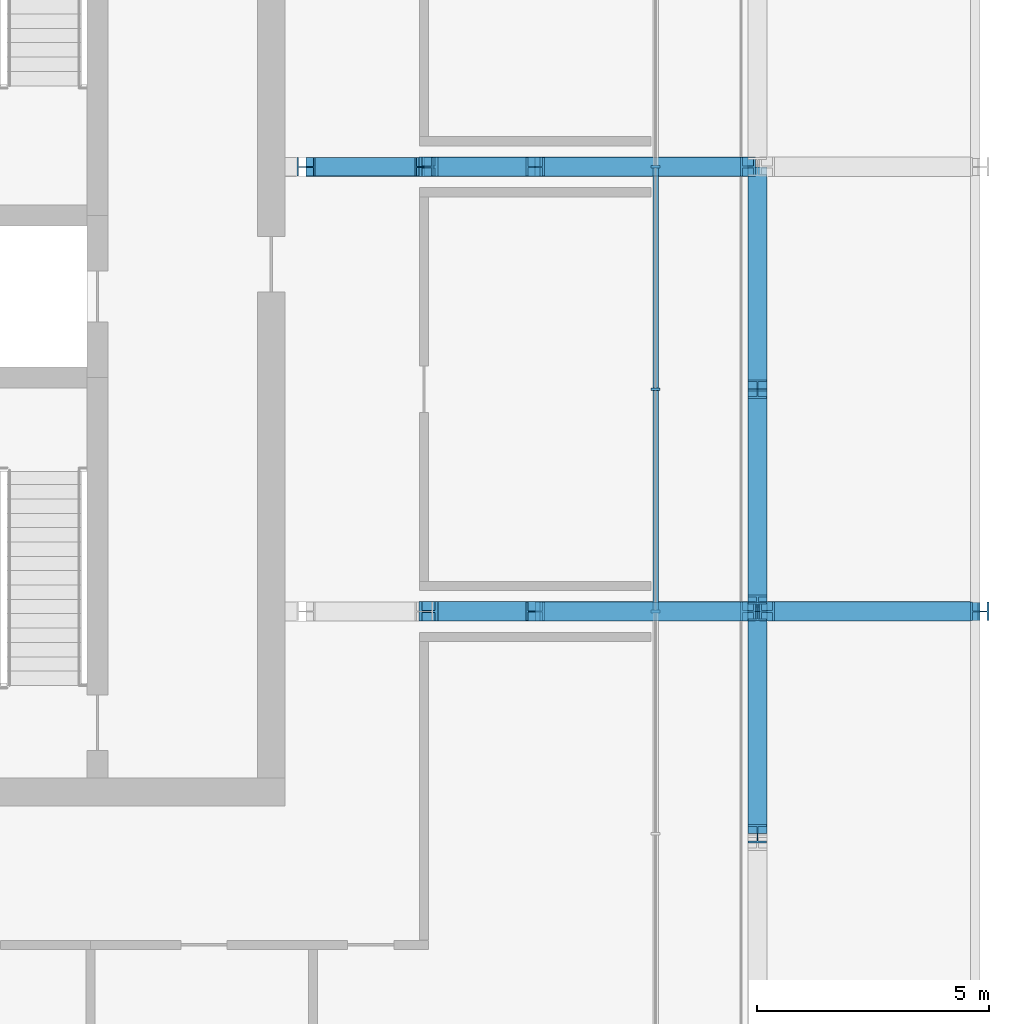
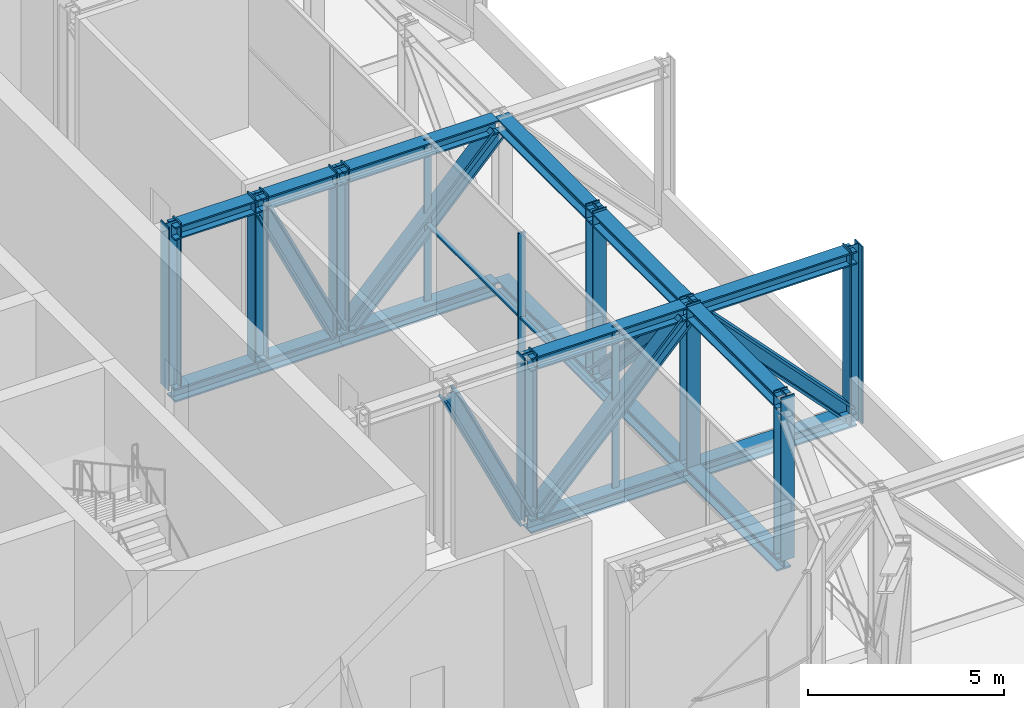
# One storey, part 8 of 26: 35 members, 1 element without a shape of its own.
"""IFC4 building model written with IfcOpenShell, lengths in metres."""

from ifc_helpers import new_model, si_unit, direction, frame, origin, origin_2d, place, context, subcontext, project, spatial, rectangle, i_section, extrude, material, layer, layer_set, material_profile, profile_set, type_object, element, aggregate, save


model = new_model("IFC4")

# Units and contexts
model_context = context("Model", 3, precision=1e-05, world=origin(), true_north=direction((0.0, 1.0)))
body_context = subcontext(model_context, "Body", "Model", "MODEL_VIEW")
ifc_project = project(units=[si_unit("LENGTHUNIT", "METRE"), si_unit("AREAUNIT", "SQUARE_METRE"), si_unit("VOLUMEUNIT", "CUBIC_METRE"), si_unit("PLANEANGLEUNIT", "RADIAN"), si_unit("MASSUNIT", "GRAM", prefix="KILO")], contexts=[model_context])

# Site, building, storey
site_placement = place(None, origin())
site = spatial("IfcSite", under=ifc_project, at=site_placement, CompositionType="ELEMENT")
building_placement = place(site_placement, origin())
building = spatial("IfcBuilding", under=site, at=building_placement, Name="Madar Terraces", CompositionType="ELEMENT")
storey_placement = place(building_placement, frame((0.0, 0.0, 233.300048828125)))
storey = spatial("IfcBuildingStorey", under=building, at=storey_placement, Name="L61", CompositionType="ELEMENT", Elevation=233.300048828125)

# Members
ifc_material_1 = material(Name="Steel ASTM A992 Grade 50", Category="steel")
ifc_material_profile_1 = material_profile(ifc_material_1, i_section(OverallWidth=0.408935546875, OverallDepth=0.424072265625, WebThickness=0.03271484375, FlangeThickness=0.052490234375, at=origin_2d()), Name="W14x283")
ifc_profile_set_1 = profile_set([ifc_material_profile_1], Name="Steel ASTM A992 Grade 50")
member_type_1 = type_object("IfcMemberType", Name="BC8 W14x283", PredefinedType="CHORD", material=ifc_profile_set_1)
for number, where, z_axis, x_axis, name in (
    (1, (57.60009765625, 14.39990234375, -0.2080078125), (0.0, 1.0, 0.0), (-1.0, 0.0, 0.0), "Exoskeleton truss ring bottom chord BC8"),
    (2, (57.60009765625, 19.199951171875, -0.2080078125), (0.0, 1.0, 0.0), (-1.0, 0.0, 0.0), "Exoskeleton truss ring bottom chord BC8"),
    (3, (57.60009765625, 24.0, -0.2080078125), (0.0, 1.0, 0.0), (-1.0, 0.0, 0.0), "Exoskeleton truss ring bottom chord BC8"),
):
    element("IfcMember", number, at=place(storey_placement, frame(where, z_axis=z_axis, x_axis=x_axis)), inside=storey, type_object=member_type_1, Name=name, PredefinedType="CHORD", context=body_context, shape_type="SweptSolid", body=[
        extrude(i_section(OverallWidth=0.408935546875, OverallDepth=0.424072265625, WebThickness=0.03271484375, FlangeThickness=0.052490234375, at=origin_2d()), origin(), (0.0, 0.0, 1.0), 4.800048828125),
    ])
for number, where, z_axis, x_axis, name in (
    (4, (62.39990234375, 19.199951171875, -0.2080078125), (-1.0, 0.0, 0.0), (0.0, -1.0, 0.0), "Exoskeleton truss cross E19.2 bottom chord BC8"),
    (5, (57.3955078125, 19.199951171875, -0.2080078125), (-1.0, 0.0, 0.0), (0.0, -1.0, 0.0), "Exoskeleton truss cross E19.2 bottom chord BC8"),
    (6, (57.3955078125, 28.800048828125, -0.2080078125), (-1.0, 0.0, 0.0), (0.0, -1.0, 0.0), "Exoskeleton truss cross E28.8 bottom chord BC8"),
):
    element("IfcMember", number, at=place(storey_placement, frame(where, z_axis=z_axis, x_axis=x_axis)), inside=storey, type_object=member_type_1, Name=name, PredefinedType="CHORD", context=body_context, shape_type="SweptSolid", body=[
        extrude(i_section(OverallWidth=0.408935546875, OverallDepth=0.424072265625, WebThickness=0.03271484375, FlangeThickness=0.052490234375, at=origin_2d()), origin(), (0.0, 0.0, 1.0), 4.595458984375),
    ])
member_1_placement = place(storey_placement, frame((52.800048828125, 28.800048828125, -0.2080078125), z_axis=(-1.0, 0.0, 0.0), x_axis=(0.0, -1.0, 0.0)))
element("IfcMember", 7, at=member_1_placement, inside=storey, type_object=member_type_1, Name="Exoskeleton truss cross E28.8 bottom chord BC8", PredefinedType="CHORD", context=body_context, shape_type="SweptSolid", body=[
    extrude(i_section(OverallWidth=0.408935546875, OverallDepth=0.424072265625, WebThickness=0.03271484375, FlangeThickness=0.052490234375, at=origin_2d()), origin(), (0.0, 0.0, 1.0), 2.400146484375),
])
member_2_placement = place(storey_placement, frame((50.39990234375, 28.800048828125, -0.2080078125), z_axis=(-1.0, 0.0, 0.0), x_axis=(0.0, -1.0, 0.0)))
element("IfcMember", 8, at=member_2_placement, inside=storey, type_object=member_type_1, Name="Exoskeleton truss cross E28.8 bottom chord BC8", PredefinedType="CHORD", context=body_context, shape_type="SweptSolid", body=[
    extrude(i_section(OverallWidth=0.408935546875, OverallDepth=0.424072265625, WebThickness=0.03271484375, FlangeThickness=0.052490234375, at=origin_2d()), origin(), (0.0, 0.0, 1.0), 2.5498046875),
])

# Curtain wall, members
ifc_material_2 = material(Name="Glass, ceramic frit dark grey, with black aluminium frame", Category="aluminium")
ifc_layer = layer(ifc_material_2, 0.199951171875)
ifc_layer_set = layer_set([ifc_layer], Name="Facade curtain wall, tall glazing")
curtain_wall_type = type_object("IfcCurtainWallType", Name="Facade curtain wall, tall glazing", PredefinedType="NOTDEFINED", material=ifc_layer_set)
curtain_wall_placement = place(storey_placement, origin())
curtain_wall = element("IfcCurtainWall", 9, at=curtain_wall_placement, inside=storey, type_object=curtain_wall_type, Name="Outer skin curtain wall east bay 1", PredefinedType="NOTDEFINED")
ifc_material_3 = material(Name="Aluminium, black anodised", Category="aluminium")
ifc_material_profile_2 = material_profile(ifc_material_3, rectangle(XDim=0.199951171875, YDim=0.06005859375, at=origin_2d()), Name="Facade mullion 60x200")
ifc_profile_set_2 = profile_set([ifc_material_profile_2], Name="Aluminium, black anodised")
member_type_2 = type_object("IfcMemberType", Name="Facade mullion 60x200", PredefinedType="MULLION", material=ifc_profile_set_2)
member_3_placement = place(storey_placement, frame((55.39990234375, 19.199951171875, 0.0), z_axis=(0.0, 0.0, 1.0), x_axis=(-1.0, 0.0, 0.0)))
member_3 = element("IfcMember", 10, at=member_3_placement, type_object=member_type_2, Name="Mullion 2", PredefinedType="MULLION", context=body_context, shape_type="SweptSolid", body=[
    extrude(rectangle(XDim=0.199951171875, YDim=0.06005859375, at=origin_2d()), origin(), (0.0, 0.0, 1.0), 5.0400390625),
])
member_4_placement = place(storey_placement, frame((55.39990234375, 24.0, 0.0), z_axis=(0.0, 0.0, 1.0), x_axis=(-1.0, 0.0, 0.0)))
member_4 = element("IfcMember", 11, at=member_4_placement, type_object=member_type_2, Name="Mullion 3", PredefinedType="MULLION", context=body_context, shape_type="SweptSolid", body=[
    extrude(rectangle(XDim=0.199951171875, YDim=0.06005859375, at=origin_2d()), origin(), (0.0, 0.0, 1.0), 5.0400390625),
])
member_5_placement = place(storey_placement, frame((55.39990234375, 28.800048828125, 0.0), z_axis=(0.0, 0.0, 1.0), x_axis=(-1.0, 0.0, 0.0)))
member_5 = element("IfcMember", 12, at=member_5_placement, type_object=member_type_2, Name="Mullion 4", PredefinedType="MULLION", context=body_context, shape_type="SweptSolid", body=[
    extrude(rectangle(XDim=0.199951171875, YDim=0.06005859375, at=origin_2d()), origin(), (0.0, 0.0, 1.0), 5.0400390625),
])
ifc_material_4 = material(Name="Aluminium, black anodised", Category="aluminium")
ifc_material_profile_3 = material_profile(ifc_material_4, rectangle(XDim=0.1201171875, YDim=0.06005859375, at=origin_2d()), Name="Facade transom 60x120")
ifc_profile_set_3 = profile_set([ifc_material_profile_3], Name="Aluminium, black anodised")
member_type_3 = type_object("IfcMemberType", Name="Facade transom 60x120", PredefinedType="USERDEFINED", material=ifc_profile_set_3)
member_6_placement = place(storey_placement, frame((55.39990234375, 19.22998046875, 2.39990234375), z_axis=(0.0, 1.0, 0.0), x_axis=(-1.0, 0.0, 0.0)))
member_6 = element("IfcMember", 13, at=member_6_placement, type_object=member_type_3, Name="Transom 4", ObjectType="TRANSOM", PredefinedType="USERDEFINED", context=body_context, shape_type="SweptSolid", body=[
    extrude(rectangle(XDim=0.1201171875, YDim=0.06005859375, at=origin_2d()), origin(), (0.0, 0.0, 1.0), 4.739990234375),
])
member_7_placement = place(storey_placement, frame((55.39990234375, 24.030029296875, 2.39990234375), z_axis=(0.0, 1.0, 0.0), x_axis=(-1.0, 0.0, 0.0)))
member_7 = element("IfcMember", 14, at=member_7_placement, type_object=member_type_3, Name="Transom 5", ObjectType="TRANSOM", PredefinedType="USERDEFINED", context=body_context, shape_type="SweptSolid", body=[
    extrude(rectangle(XDim=0.1201171875, YDim=0.06005859375, at=origin_2d()), origin(), (0.0, 0.0, 1.0), 4.739990234375),
])
aggregate(curtain_wall, [member_3, member_4, member_5, member_6, member_7])

# Members
ifc_material_5 = material(Name="Steel ASTM A992 Grade 50", Category="steel")
ifc_material_profile_4 = material_profile(ifc_material_5, i_section(OverallWidth=0.40380859375, OverallDepth=0.406494140625, WebThickness=0.027099609375, FlangeThickness=0.043701171875, at=origin_2d()), Name="W14x233")
ifc_profile_set_4 = profile_set([ifc_material_profile_4], Name="Steel ASTM A992 Grade 50")
member_type_4 = type_object("IfcMemberType", Name="TC8 W14x233", PredefinedType="CHORD", material=ifc_profile_set_4)
for number, where, z_axis, x_axis, name in (
    (15, (57.60009765625, 14.39990234375, 4.82666015625), (0.0, 1.0, 0.0), (-1.0, 0.0, 0.0), "Exoskeleton truss ring top chord TC8"),
    (16, (57.60009765625, 19.199951171875, 4.82666015625), (0.0, 1.0, 0.0), (-1.0, 0.0, 0.0), "Exoskeleton truss ring top chord TC8"),
    (17, (57.60009765625, 24.0, 4.82666015625), (0.0, 1.0, 0.0), (-1.0, 0.0, 0.0), "Exoskeleton truss ring top chord TC8"),
):
    element("IfcMember", number, at=place(storey_placement, frame(where, z_axis=z_axis, x_axis=x_axis)), inside=storey, type_object=member_type_4, Name=name, PredefinedType="CHORD", context=body_context, shape_type="SweptSolid", body=[
        extrude(i_section(OverallWidth=0.40380859375, OverallDepth=0.406494140625, WebThickness=0.027099609375, FlangeThickness=0.043701171875, at=origin_2d()), origin(), (0.0, 0.0, 1.0), 4.800048828125),
    ])
for number, where, z_axis, x_axis, name in (
    (18, (62.39990234375, 19.199951171875, 4.82666015625), (-1.0, 0.0, 0.0), (0.0, -1.0, 0.0), "Exoskeleton truss cross E19.2 top chord TC8"),
    (19, (57.39794921875, 19.199951171875, 4.82666015625), (-1.0, 0.0, 0.0), (0.0, -1.0, 0.0), "Exoskeleton truss cross E19.2 top chord TC8"),
    (20, (57.39794921875, 28.800048828125, 4.82666015625), (-1.0, 0.0, 0.0), (0.0, -1.0, 0.0), "Exoskeleton truss cross E28.8 top chord TC8"),
):
    element("IfcMember", number, at=place(storey_placement, frame(where, z_axis=z_axis, x_axis=x_axis)), inside=storey, type_object=member_type_4, Name=name, PredefinedType="CHORD", context=body_context, shape_type="SweptSolid", body=[
        extrude(i_section(OverallWidth=0.40380859375, OverallDepth=0.406494140625, WebThickness=0.027099609375, FlangeThickness=0.043701171875, at=origin_2d()), origin(), (0.0, 0.0, 1.0), 4.597900390625),
    ])
member_8_placement = place(storey_placement, frame((52.800048828125, 28.800048828125, 4.82666015625), z_axis=(-1.0, 0.0, 0.0), x_axis=(0.0, -1.0, 0.0)))
element("IfcMember", 21, at=member_8_placement, inside=storey, type_object=member_type_4, Name="Exoskeleton truss cross E28.8 top chord TC8", PredefinedType="CHORD", context=body_context, shape_type="SweptSolid", body=[
    extrude(i_section(OverallWidth=0.40380859375, OverallDepth=0.406494140625, WebThickness=0.027099609375, FlangeThickness=0.043701171875, at=origin_2d()), origin(), (0.0, 0.0, 1.0), 2.400146484375),
])
member_9_placement = place(storey_placement, frame((50.39990234375, 28.800048828125, 4.82666015625), z_axis=(-1.0, 0.0, 0.0), x_axis=(0.0, -1.0, 0.0)))
element("IfcMember", 22, at=member_9_placement, inside=storey, type_object=member_type_4, Name="Exoskeleton truss cross E28.8 top chord TC8", PredefinedType="CHORD", context=body_context, shape_type="SweptSolid", body=[
    extrude(i_section(OverallWidth=0.40380859375, OverallDepth=0.406494140625, WebThickness=0.027099609375, FlangeThickness=0.043701171875, at=origin_2d()), origin(), (0.0, 0.0, 1.0), 2.5498046875),
])
ifc_material_6 = material(Name="Steel ASTM A992 Grade 50", Category="steel")
ifc_material_profile_5 = material_profile(ifc_material_6, i_section(OverallWidth=0.419189453125, OverallDepth=0.45458984375, WebThickness=0.042236328125, FlangeThickness=0.067626953125, at=origin_2d()), Name="W14x370")
ifc_profile_set_5 = profile_set([ifc_material_profile_5], Name="Steel ASTM A992 Grade 50")
member_type_5 = type_object("IfcMemberType", Name="TD8 W14x370", PredefinedType="BRACE", material=ifc_profile_set_5)
member_10_placement = place(storey_placement, frame((57.60009765625, 19.393798828125, 4.62353515625), z_axis=(0.0, 0.690036191516, -0.723774864442), x_axis=(-1.0, 0.0, 0.0)))
element("IfcMember", 23, at=member_10_placement, inside=storey, type_object=member_type_5, Name="Exoskeleton truss ring diagonal TD8", PredefinedType="BRACE", context=body_context, shape_type="SweptSolid", body=[
    extrude(i_section(OverallWidth=0.419189453125, OverallDepth=0.45458984375, WebThickness=0.042236328125, FlangeThickness=0.067626953125, at=origin_2d()), origin(), (0.0, 0.0, 1.0), 6.38232421875),
])
for number, where, z_axis, x_axis, name in (
    (24, (62.19775390625, 19.199951171875, 0.004150390625), (-0.690033293208, 0.0, 0.723777627635), (0.0, -1.0, 0.0), "Exoskeleton truss cross E19.2 diagonal TD8"),
    (25, (57.3955078125, 19.199951171875, 4.6123046875), (-0.690033293208, 0.0, -0.723777627635), (0.0, -1.0, 0.0), "Exoskeleton truss cross E19.2 diagonal TD8"),
):
    element("IfcMember", number, at=place(storey_placement, frame(where, z_axis=z_axis, x_axis=x_axis)), inside=storey, type_object=member_type_5, Name=name, PredefinedType="BRACE", context=body_context, shape_type="SweptSolid", body=[
        extrude(i_section(OverallWidth=0.419189453125, OverallDepth=0.45458984375, WebThickness=0.042236328125, FlangeThickness=0.067626953125, at=origin_2d()), origin(), (0.0, 0.0, 1.0), 6.36669921875),
    ])
member_11_placement = place(storey_placement, frame((52.698974609375, 19.199951171875, 0.004150390625), z_axis=(-0.430322432298, 0.0, 0.902675248504), x_axis=(0.0, -1.0, 0.0)))
element("IfcMember", 26, at=member_11_placement, inside=storey, type_object=member_type_5, Name="Exoskeleton truss cross E19.2 diagonal TD8", PredefinedType="BRACE", context=body_context, shape_type="SweptSolid", body=[
    extrude(i_section(OverallWidth=0.419189453125, OverallDepth=0.45458984375, WebThickness=0.042236328125, FlangeThickness=0.067626953125, at=origin_2d()), origin(), (0.0, 0.0, 1.0), 5.117431640625),
])
member_12_placement = place(storey_placement, frame((57.3955078125, 28.800048828125, 4.6123046875), z_axis=(-0.690033293208, 0.0, -0.723777627635), x_axis=(0.0, -1.0, 0.0)))
element("IfcMember", 27, at=member_12_placement, inside=storey, type_object=member_type_5, Name="Exoskeleton truss cross E28.8 diagonal TD8", PredefinedType="BRACE", context=body_context, shape_type="SweptSolid", body=[
    extrude(i_section(OverallWidth=0.419189453125, OverallDepth=0.45458984375, WebThickness=0.042236328125, FlangeThickness=0.067626953125, at=origin_2d()), origin(), (0.0, 0.0, 1.0), 6.36669921875),
])
member_13_placement = place(storey_placement, frame((52.698974609375, 28.800048828125, 0.004150390625), z_axis=(-0.430322432298, 0.0, 0.902675248504), x_axis=(0.0, -1.0, 0.0)))
element("IfcMember", 28, at=member_13_placement, inside=storey, type_object=member_type_5, Name="Exoskeleton truss cross E28.8 diagonal TD8", PredefinedType="BRACE", context=body_context, shape_type="SweptSolid", body=[
    extrude(i_section(OverallWidth=0.419189453125, OverallDepth=0.45458984375, WebThickness=0.042236328125, FlangeThickness=0.067626953125, at=origin_2d()), origin(), (0.0, 0.0, 1.0), 5.117431640625),
])
ifc_material_7 = material(Name="Steel ASTM A992 Grade 50", Category="steel")
ifc_material_profile_6 = material_profile(ifc_material_7, i_section(OverallWidth=0.398681640625, OverallDepth=0.393798828125, WebThickness=0.022705078125, FlangeThickness=0.03662109375, at=origin_2d()), Name="W14x193")
ifc_profile_set_6 = profile_set([ifc_material_profile_6], Name="Steel ASTM A992 Grade 50")
member_type_6 = type_object("IfcMemberType", Name="TV8 W14x193", PredefinedType="POST", material=ifc_profile_set_6)
for number, where, z_axis, x_axis, name in (
    (29, (57.60009765625, 14.39990234375, 0.004150390625), (0.0, 0.0, 1.0), (-1.0, 0.0, 0.0), "Exoskeleton truss ring post TV8"),
    (30, (57.60009765625, 19.199951171875, 0.004150390625), (0.0, 0.0, 1.0), (-1.0, 0.0, 0.0), "Exoskeleton truss ring post TV8"),
    (31, (57.60009765625, 24.0, 0.004150390625), (0.0, 0.0, 1.0), (-1.0, 0.0, 0.0), "Exoskeleton truss ring post TV8"),
):
    element("IfcMember", number, at=place(storey_placement, frame(where, z_axis=z_axis, x_axis=x_axis)), inside=storey, type_object=member_type_6, Name=name, PredefinedType="POST", context=body_context, shape_type="SweptSolid", body=[
        extrude(i_section(OverallWidth=0.398681640625, OverallDepth=0.393798828125, WebThickness=0.022705078125, FlangeThickness=0.03662109375, at=origin_2d()), origin(), (0.0, 0.0, 1.0), 5.095703125),
    ])
member_14_placement = place(storey_placement, frame((62.39990234375, 19.199951171875, -0.420166015625), z_axis=(0.0, 0.0, 1.0), x_axis=(0.0, 1.0, 0.0)))
element("IfcMember", 32, at=member_14_placement, inside=storey, type_object=member_type_6, Name="Exoskeleton truss cross E19.2 post TV8", PredefinedType="POST", context=body_context, shape_type="SweptSolid", body=[
    extrude(i_section(OverallWidth=0.398681640625, OverallDepth=0.393798828125, WebThickness=0.022705078125, FlangeThickness=0.03662109375, at=origin_2d()), origin(), (0.0, 0.0, 1.0), 5.52001953125),
])
for number, where, z_axis, x_axis, name in (
    (33, (52.800048828125, 19.199951171875, 0.004150390625), (0.0, 0.0, 1.0), (0.0, 1.0, 0.0), "Exoskeleton truss cross E19.2 post TV8"),
    (34, (52.800048828125, 28.800048828125, 0.004150390625), (0.0, 0.0, 1.0), (0.0, 1.0, 0.0), "Exoskeleton truss cross E28.8 post TV8"),
    (35, (50.39990234375, 28.800048828125, 0.004150390625), (0.0, 0.0, 1.0), (0.0, 1.0, 0.0), "Exoskeleton truss cross E28.8 post TV8"),
    (36, (47.85009765625, 28.800048828125, 0.004150390625), (0.0, 0.0, 1.0), (0.0, 1.0, 0.0), "Exoskeleton truss cross E28.8 post TV8"),
):
    element("IfcMember", number, at=place(storey_placement, frame(where, z_axis=z_axis, x_axis=x_axis)), inside=storey, type_object=member_type_6, Name=name, PredefinedType="POST", context=body_context, shape_type="SweptSolid", body=[
        extrude(i_section(OverallWidth=0.398681640625, OverallDepth=0.393798828125, WebThickness=0.022705078125, FlangeThickness=0.03662109375, at=origin_2d()), origin(), (0.0, 0.0, 1.0), 5.095703125),
    ])

save(model, "model.ifc")
